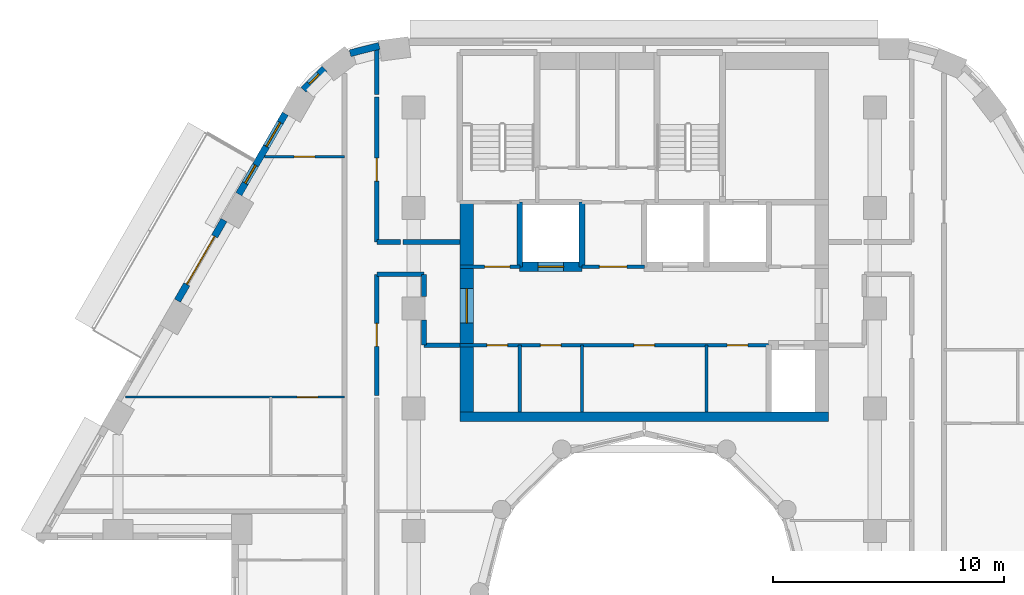
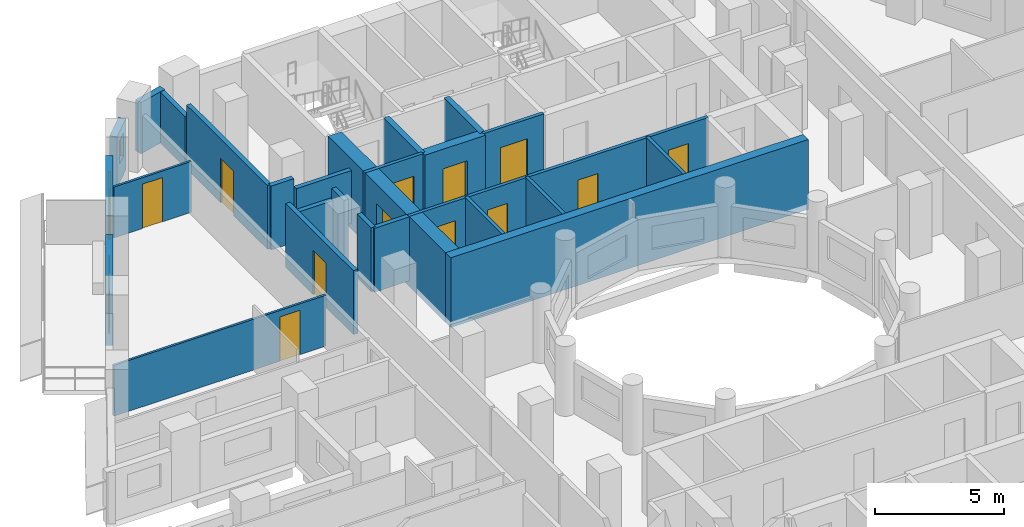
# One storey, part 7 of 13: 26 walls, 13 doors, 3 windows, 16 openings.
"""IFC4 building model written with IfcOpenShell, lengths in metres."""

from ifc_helpers import new_model, si_unit, direction, frame, frame_2d, origin, place, context, subcontext, project, spatial, rectangle, extrude, material, layer, layer_set, type_object, element, fill, save


model = new_model("IFC4")

# Units and contexts
model_context = context("Model", 3, precision=1e-05, world=origin(), true_north=direction((0.0, 1.0)))
body_context = subcontext(model_context, "Body", "Model", "MODEL_VIEW")
ifc_project = project(units=[si_unit("LENGTHUNIT", "METRE"), si_unit("AREAUNIT", "SQUARE_METRE"), si_unit("VOLUMEUNIT", "CUBIC_METRE"), si_unit("PLANEANGLEUNIT", "RADIAN"), si_unit("MASSUNIT", "GRAM", prefix="KILO")], contexts=[model_context])

# Site, building, storey
site_placement = place(None, origin())
site = spatial("IfcSite", under=ifc_project, at=site_placement, CompositionType="ELEMENT")
building_placement = place(site_placement, origin())
building = spatial("IfcBuilding", under=site, at=building_placement, Name="Nakaniwa Court", CompositionType="ELEMENT")
storey_placement = place(building_placement, frame((0.0, 0.0, 147.0)))
storey = spatial("IfcBuildingStorey", under=building, at=storey_placement, Name="L38", CompositionType="ELEMENT", Elevation=147.0)

# Walls
ifc_material_1 = material(Name="Acoustic double stud partition")
ifc_layer_1 = layer(ifc_material_1, 0.199951171875)
ifc_layer_set_1 = layer_set([ifc_layer_1], Name="Acoustic double stud partition")
wall_type_1 = type_object("IfcWallType", Name="Acoustic double stud partition 200", PredefinedType="PARTITIONING", material=ifc_layer_set_1)
wall_1_placement = place(storey_placement, frame((68.39990234375, 93.77490234375, 0.0), z_axis=(0.0, 0.0, 1.0), x_axis=(1.0, 0.0, 0.0)))
element("IfcWall", 1, at=wall_1_placement, inside=storey, type_object=wall_type_1, Name="Partition PW-092", PredefinedType="PARTITIONING", context=body_context, shape_type="SweptSolid", body=[
    extrude(rectangle(XDim=2.050048828125, YDim=0.199951171875, at=frame_2d((1.02490234375, 0.0))), origin(), (0.0, 0.0, 1.0), 2.5048828125),
])
wall_2_placement = place(storey_placement, frame((70.449951171875, 90.699951171875, 0.0), z_axis=(0.0, 0.0, 1.0), x_axis=(1.0, 0.0, 0.0)))
element("IfcWall", 2, at=wall_2_placement, inside=storey, type_object=wall_type_1, Name="Partition PW-094", PredefinedType="PARTITIONING", context=body_context, shape_type="SweptSolid", body=[
    extrude(rectangle(XDim=1.550048828125, YDim=0.199951171875, at=frame_2d((0.77490234375, 0.0))), origin(), (0.0, 0.0, 1.0), 3.02490234375),
])
wall_3_placement = place(storey_placement, frame((68.39990234375, 95.175048828125, 0.0), z_axis=(0.0, 0.0, 1.0), x_axis=(1.0, 0.0, 0.0)))
element("IfcWall", 3, at=wall_3_placement, inside=storey, type_object=wall_type_1, Name="Partition PW-096", PredefinedType="PARTITIONING", context=body_context, shape_type="SweptSolid", body=[
    extrude(rectangle(XDim=1.02294921875, YDim=0.199951171875, at=frame_2d((0.511474609375, 0.0))), origin(), (0.0, 0.0, 1.0), 3.02490234375),
])
wall_4_placement = place(storey_placement, frame((69.537109375, 95.175048828125, 0.0), z_axis=(0.0, 0.0, 1.0), x_axis=(1.0, 0.0, 0.0)))
element("IfcWall", 4, at=wall_4_placement, inside=storey, type_object=wall_type_1, Name="Partition PW-097", PredefinedType="PARTITIONING", context=body_context, shape_type="SweptSolid", body=[
    extrude(rectangle(XDim=2.462890625, YDim=0.199951171875, at=frame_2d((1.2314453125, 0.0))), origin(), (0.0, 0.0, 1.0), 2.5048828125),
])

# Wall, opening, door
wall_5_placement = place(storey_placement, frame((68.39990234375, 93.77490234375, 0.0), z_axis=(0.0, 0.0, 1.0), x_axis=(0.0, -1.0, 0.0)))
wall_5 = element("IfcWall", 5, at=wall_5_placement, inside=storey, type_object=wall_type_1, Name="Partition PW-105", PredefinedType="PARTITIONING", context=body_context, shape_type="SweptSolid", body=[
    extrude(rectangle(XDim=5.247802734375, YDim=0.199951171875, at=frame_2d((2.6240234375, 0.0))), origin(), (0.0, 0.0, 1.0), 3.02490234375),
])
opening_1_placement = place(wall_5_placement, frame((2.123046875, 0.0, 0.0)))
opening_1 = element("IfcOpeningElement", 6, at=opening_1_placement, cuts=wall_5, Name="Opening D-02-08", PredefinedType="OPENING", context=body_context, shape_type="SweptSolid", body=[
    extrude(rectangle(XDim=1.0, YDim=2.10009765625, at=frame_2d((0.5, 1.050048828125))), frame((0.0, 0.10986328125, 0.0), z_axis=(0.0, -1.0, 0.0), x_axis=(1.0, 0.0, 0.0)), (0.0, 0.0, 1.0), 0.219970703125),
])
ifc_material_2 = material(Name="Solid core timber door set, black veneer", Category="wood")
door_type_1 = type_object("IfcDoorType", Name="Internal door 1000", OperationType="NOTDEFINED", PredefinedType="DOOR", material=ifc_material_2)
door_1_placement = place(opening_1_placement, origin())
door_1 = element("IfcDoor", 7, at=door_1_placement, inside=storey, type_object=door_type_1, Name="Door D-02-08 L38-044", OperationType="SINGLE_SWING_LEFT", OverallHeight=2.10009765625, OverallWidth=1.0, PredefinedType="DOOR", context=body_context, shape_type="SweptSolid", body=[
    extrude(rectangle(XDim=1.0, YDim=2.10009765625, at=frame_2d((0.5, 1.050048828125))), frame((0.0, 0.02490234375, 0.0), z_axis=(0.0, -1.0, 0.0), x_axis=(1.0, 0.0, 0.0)), (0.0, 0.0, 1.0), 0.050048828125),
])
fill(opening_1, door_1)

wall_6_placement = place(storey_placement, frame((68.39990234375, 101.462890625, 0.0), z_axis=(0.0, 0.0, 1.0), x_axis=(0.0, -1.0, 0.0)))
wall_6 = element("IfcWall", 8, at=wall_6_placement, inside=storey, type_object=wall_type_1, Name="Partition PW-106", PredefinedType="PARTITIONING", context=body_context, shape_type="SweptSolid", body=[
    extrude(rectangle(XDim=6.287841796875, YDim=0.199951171875, at=frame_2d((3.14404296875, 0.0))), origin(), (0.0, 0.0, 1.0), 3.02490234375),
])
opening_2_placement = place(wall_6_placement, frame((2.64501953125, 0.0, 0.0)))
opening_2 = element("IfcOpeningElement", 9, at=opening_2_placement, cuts=wall_6, Name="Opening D-02-12", PredefinedType="OPENING", context=body_context, shape_type="SweptSolid", body=[
    extrude(rectangle(XDim=1.0, YDim=2.10009765625, at=frame_2d((0.5, 1.050048828125))), frame((0.0, 0.10986328125, 0.0), z_axis=(0.0, -1.0, 0.0), x_axis=(1.0, 0.0, 0.0)), (0.0, 0.0, 1.0), 0.219970703125),
])
door_2_placement = place(opening_2_placement, origin())
door_2 = element("IfcDoor", 10, at=door_2_placement, inside=storey, type_object=door_type_1, Name="Door D-02-12 L38-053", OperationType="SINGLE_SWING_RIGHT", OverallHeight=2.10009765625, OverallWidth=1.0, PredefinedType="DOOR", context=body_context, shape_type="SweptSolid", body=[
    extrude(rectangle(XDim=1.0, YDim=2.10009765625, at=frame_2d((0.5, 1.050048828125))), frame((0.0, 0.02490234375, 0.0), z_axis=(0.0, -1.0, 0.0), x_axis=(1.0, 0.0, 0.0)), (0.0, 0.0, 1.0), 0.050048828125),
])
fill(opening_2, door_2)

# Walls
wall_7_placement = place(storey_placement, frame((68.39990234375, 101.5771484375, 0.0), z_axis=(0.0, 0.0, 1.0), x_axis=(0.0, 1.0, 0.0)))
element("IfcWall", 11, at=wall_7_placement, inside=storey, type_object=wall_type_1, Name="Partition PW-107", PredefinedType="PARTITIONING", context=body_context, shape_type="SweptSolid", body=[
    extrude(rectangle(XDim=2.02197265625, YDim=0.199951171875, at=frame_2d((1.010986328125, 0.0))), origin(), (0.0, 0.0, 1.0), 2.405029296875),
])
wall_8_placement = place(storey_placement, frame((70.449951171875, 90.699951171875, 0.0), z_axis=(0.0, 0.0, 1.0), x_axis=(0.0, 1.0, 0.0)))
element("IfcWall", 12, at=wall_8_placement, inside=storey, type_object=wall_type_1, Name="Partition PW-111", PredefinedType="PARTITIONING", context=body_context, shape_type="SweptSolid", body=[
    extrude(rectangle(XDim=1.082763671875, YDim=0.199951171875, at=frame_2d((0.54150390625, 0.0))), origin(), (0.0, 0.0, 1.0), 3.02490234375),
])
wall_9_placement = place(storey_placement, frame((70.449951171875, 92.817138671875, 0.0), z_axis=(0.0, 0.0, 1.0), x_axis=(0.0, 1.0, 0.0)))
element("IfcWall", 13, at=wall_9_placement, inside=storey, type_object=wall_type_1, Name="Partition PW-112", PredefinedType="PARTITIONING", context=body_context, shape_type="SweptSolid", body=[
    extrude(rectangle(XDim=0.957763671875, YDim=0.199951171875, at=frame_2d((0.47900390625, 0.0))), origin(), (0.0, 0.0, 1.0), 3.02490234375),
])
ifc_material_3 = material(Name="Charcoal ceramic cladding")
ifc_layer_2 = layer(ifc_material_3, 0.02, Name="Ceramic cladding")
ifc_material_4 = material(Name="Ventilated air cavity")
ifc_layer_3 = layer(ifc_material_4, 0.04, ventilated=True, Name="Ventilated cavity")
ifc_material_5 = material(Name="Mineral wool insulation")
ifc_layer_4 = layer(ifc_material_5, 0.1, Name="Insulation")
ifc_material_6 = material(Name="Cement bonded sheathing board")
ifc_layer_5 = layer(ifc_material_6, 0.012, Name="Sheathing")
ifc_material_7 = material(Name="Cold-formed galvanised stud frame with mineral wool infill")
ifc_layer_6 = layer(ifc_material_7, 0.1, Name="Stud frame")
ifc_material_8 = material(Name="Fire-rated gypsum plasterboard lining")
ifc_layer_7 = layer(ifc_material_8, 0.028, Name="Lining")
ifc_layer_set_2 = layer_set([ifc_layer_2, ifc_layer_3, ifc_layer_4, ifc_layer_5, ifc_layer_6, ifc_layer_7], Name="Charcoal ceramic faced external wall system")
wall_type_2 = type_object("IfcWallType", Name="Black ceramic faced external wall 300", PredefinedType="SOLIDWALL", material=ifc_layer_set_2)
wall_10_placement = place(storey_placement, frame((68.506103515625, 103.68310546875, 0.0), z_axis=(0.0, 0.0, 1.0), x_axis=(-0.96924493129, -0.246098076322, 0.0)))
element("IfcWall", 14, at=wall_10_placement, inside=storey, type_object=wall_type_2, Name="L38 external wall 09", PredefinedType="SOLIDWALL", context=body_context, shape_type="SweptSolid", body=[
    extrude(rectangle(XDim=1.305419921875, YDim=0.300048828125, at=frame_2d((0.65283203125, 0.0))), origin(), (0.0, 0.0, 1.0), 2.425048828125),
])

# Wall, opening, window
wall_11_placement = place(storey_placement, frame((66.12890625, 102.68798828125, 0.0), z_axis=(0.0, 0.0, 1.0), x_axis=(-0.70881270082, -0.705396735997, 0.0)))
wall_11 = element("IfcWall", 15, at=wall_11_placement, inside=storey, type_object=wall_type_2, Name="L38 external wall 10", PredefinedType="SOLIDWALL", context=body_context, shape_type="SweptSolid", body=[
    extrude(rectangle(XDim=1.286376953125, YDim=0.300048828125, at=frame_2d((0.64306640625, 0.0))), origin(), (0.0, 0.0, 1.0), 2.425048828125),
])
opening_3_placement = place(wall_11_placement, frame((0.3330078125, 0.0, 0.89990234375)))
opening_3 = element("IfcOpeningElement", 16, at=opening_3_placement, cuts=wall_11, Name="Opening W8.11", PredefinedType="OPENING", context=body_context, shape_type="SweptSolid", body=[
    extrude(rectangle(XDim=0.60009765625, YDim=1.10009765625, at=frame_2d((0.300048828125, 0.550048828125))), frame((0.0, 0.159912109375, 0.0), z_axis=(0.0, -1.0, 0.0), x_axis=(1.0, 0.0, 0.0)), (0.0, 0.0, 1.0), 0.320068359375),
])
ifc_material_9 = material(Name="Black anodised aluminium frame with dark low-E laminated double glazing", Category="aluminium")
window_type_1 = type_object("IfcWindowType", Name="Dark glass window 600x1100 sill 900", PartitioningType="SINGLE_PANEL", PredefinedType="WINDOW", material=ifc_material_9)
window_1_placement = place(opening_3_placement, origin())
window_1 = element("IfcWindow", 17, at=window_1_placement, inside=storey, type_object=window_type_1, Name="L38 habitable room window 10-0", OverallHeight=1.10009765625, OverallWidth=0.60009765625, PartitioningType="SINGLE_PANEL", PredefinedType="WINDOW", context=body_context, shape_type="SweptSolid", body=[
    extrude(rectangle(XDim=0.60009765625, YDim=1.10009765625, at=frame_2d((0.300048828125, 0.550048828125))), frame((0.0, 0.030029296875, 0.0), z_axis=(0.0, -1.0, 0.0), x_axis=(1.0, 0.0, 0.0)), (0.0, 0.0, 1.0), 0.06005859375),
])
fill(opening_3, window_1)

# Wall, openings, windows
wall_12_placement = place(storey_placement, frame((64.434814453125, 100.739990234375, 0.0), z_axis=(0.0, 0.0, 1.0), x_axis=(-0.500031546601, -0.86600718958, 0.0)))
wall_12 = element("IfcWall", 18, at=wall_12_placement, inside=storey, type_object=wall_type_2, Name="L38 external wall 11", PredefinedType="SOLIDWALL", context=body_context, shape_type="SweptSolid", body=[
    extrude(rectangle(XDim=4.033935546875, YDim=0.300048828125, at=frame_2d((2.01708984375, 0.0))), origin(), (0.0, 0.0, 1.0), 2.425048828125),
])
opening_4_placement = place(wall_12_placement, frame((0.439453125, 0.0, 0.89990234375)))
opening_4 = element("IfcOpeningElement", 19, at=opening_4_placement, cuts=wall_12, Name="Opening W6.12", PredefinedType="OPENING", context=body_context, shape_type="SweptSolid", body=[
    extrude(rectangle(XDim=1.199951171875, YDim=1.10009765625, at=frame_2d((0.60009765625, 0.550048828125))), frame((0.0, 0.159912109375, 0.0), z_axis=(0.0, -1.0, 0.0), x_axis=(1.0, 0.0, 0.0)), (0.0, 0.0, 1.0), 0.320068359375),
])
opening_5_placement = place(wall_12_placement, frame((2.58251953125, 0.0, 0.89990234375)))
opening_5 = element("IfcOpeningElement", 20, at=opening_5_placement, cuts=wall_12, Name="Opening W9.13", PredefinedType="OPENING", context=body_context, shape_type="SweptSolid", body=[
    extrude(rectangle(XDim=0.89990234375, YDim=1.10009765625, at=frame_2d((0.449951171875, 0.550048828125))), frame((0.0, 0.159912109375, 0.0), z_axis=(0.0, -1.0, 0.0), x_axis=(1.0, 0.0, 0.0)), (0.0, 0.0, 1.0), 0.320068359375),
])
window_type_2 = type_object("IfcWindowType", Name="Dark glass window 1200x1100 sill 900", PartitioningType="SINGLE_PANEL", PredefinedType="WINDOW", material=ifc_material_9)
window_2_placement = place(opening_4_placement, origin())
window_2 = element("IfcWindow", 21, at=window_2_placement, inside=storey, type_object=window_type_2, Name="L38 habitable room window 11-0", OverallHeight=1.10009765625, OverallWidth=1.199951171875, PartitioningType="SINGLE_PANEL", PredefinedType="WINDOW", context=body_context, shape_type="SweptSolid", body=[
    extrude(rectangle(XDim=1.199951171875, YDim=1.10009765625, at=frame_2d((0.60009765625, 0.550048828125))), frame((0.0, 0.030029296875, 0.0), z_axis=(0.0, -1.0, 0.0), x_axis=(1.0, 0.0, 0.0)), (0.0, 0.0, 1.0), 0.06005859375),
])
fill(opening_4, window_2)
window_type_3 = type_object("IfcWindowType", Name="Dark glass window 900x1100 sill 900", PartitioningType="SINGLE_PANEL", PredefinedType="WINDOW", material=ifc_material_9)
window_3_placement = place(opening_5_placement, origin())
window_3 = element("IfcWindow", 22, at=window_3_placement, inside=storey, type_object=window_type_3, Name="L38 living window 11-1", OverallHeight=1.10009765625, OverallWidth=0.89990234375, PartitioningType="SINGLE_PANEL", PredefinedType="WINDOW", context=body_context, shape_type="SweptSolid", body=[
    extrude(rectangle(XDim=0.89990234375, YDim=1.10009765625, at=frame_2d((0.449951171875, 0.550048828125))), frame((0.0, 0.030029296875, 0.0), z_axis=(0.0, -1.0, 0.0), x_axis=(1.0, 0.0, 0.0)), (0.0, 0.0, 1.0), 0.06005859375),
])
fill(opening_5, window_3)

# Wall, opening, door
wall_13_placement = place(storey_placement, frame((61.771728515625, 96.127685546875, 0.0), z_axis=(0.0, 0.0, 1.0), x_axis=(-0.500031546601, -0.86600718958, 0.0)))
wall_13 = element("IfcWall", 23, at=wall_13_placement, inside=storey, type_object=wall_type_2, Name="L38 external wall 12", PredefinedType="SOLIDWALL", context=body_context, shape_type="SweptSolid", body=[
    extrude(rectangle(XDim=4.033935546875, YDim=0.300048828125, at=frame_2d((2.01708984375, 0.0))), origin(), (0.0, 0.0, 1.0), 2.425048828125),
])
opening_6_placement = place(wall_13_placement, frame((0.81689453125, 0.0, 0.0)))
opening_6 = element("IfcOpeningElement", 24, at=opening_6_placement, cuts=wall_13, Name="Opening XD13.01", PredefinedType="OPENING", context=body_context, shape_type="SweptSolid", body=[
    extrude(rectangle(XDim=2.39990234375, YDim=2.0, at=frame_2d((1.199951171875, 1.0))), frame((0.0, 0.159912109375, 0.0), z_axis=(0.0, -1.0, 0.0), x_axis=(1.0, 0.0, 0.0)), (0.0, 0.0, 1.0), 0.320068359375),
])
ifc_material_10 = material(Name="Black powder-coated aluminium frame with dark laminated glass", Category="aluminium")
door_type_2 = type_object("IfcDoorType", Name="Balcony sliding door 2400x2000", OperationType="DOUBLE_DOOR_SLIDING", PredefinedType="DOOR", material=ifc_material_10)
door_3_placement = place(opening_6_placement, origin())
door_3 = element("IfcDoor", 25, at=door_3_placement, inside=storey, type_object=door_type_2, Name="L38 balcony sliding door 01", OperationType="DOUBLE_DOOR_SLIDING", OverallHeight=2.0, OverallWidth=2.39990234375, PredefinedType="DOOR", context=body_context, shape_type="SweptSolid", body=[
    extrude(rectangle(XDim=2.39990234375, YDim=2.0, at=frame_2d((1.199951171875, 1.0))), frame((0.0, 0.02490234375, 0.0), z_axis=(0.0, -1.0, 0.0), x_axis=(1.0, 0.0, 0.0)), (0.0, 0.0, 1.0), 0.050048828125),
])
fill(opening_6, door_3)

# Wall
ifc_material_11 = material(Name="Blockwork partition", Category="masonry")
ifc_layer_8 = layer(ifc_material_11, 0.14990234375)
ifc_layer_set_3 = layer_set([ifc_layer_8], Name="Blockwork partition")
wall_type_3 = type_object("IfcWallType", Name="Blockwork partition 150", PredefinedType="PARTITIONING", material=ifc_layer_set_3)
wall_14_placement = place(storey_placement, frame((74.60009765625, 87.800048828125, 0.0), z_axis=(0.0, 0.0, 1.0), x_axis=(0.0, 1.0, 0.0)))
element("IfcWall", 26, at=wall_14_placement, inside=storey, type_object=wall_type_3, Name="Partition PW-001", PredefinedType="PARTITIONING", context=body_context, shape_type="SweptSolid", body=[
    extrude(rectangle(XDim=2.89990234375, YDim=0.14990234375, at=frame_2d((1.449951171875, 0.0))), origin(), (0.0, 0.0, 1.0), 3.02490234375),
])

# Wall, openings, doors
wall_15_placement = place(storey_placement, frame((85.39990234375, 90.699951171875, 0.0), z_axis=(0.0, 0.0, 1.0), x_axis=(-1.0, 0.0, 0.0)))
wall_15 = element("IfcWall", 27, at=wall_15_placement, inside=storey, type_object=wall_type_3, Name="Partition PW-002", PredefinedType="PARTITIONING", context=body_context, shape_type="SweptSolid", body=[
    extrude(rectangle(XDim=13.39990234375, YDim=0.14990234375, at=frame_2d((6.699951171875, 0.0))), origin(), (0.0, 0.0, 1.0), 3.02490234375),
])
opening_7_placement = place(wall_15_placement, frame((11.324951171875, 0.0, 0.0)))
opening_7 = element("IfcOpeningElement", 28, at=opening_7_placement, cuts=wall_15, Name="Opening D-05-01", PredefinedType="OPENING", context=body_context, shape_type="SweptSolid", body=[
    extrude(rectangle(XDim=0.89990234375, YDim=2.10009765625, at=frame_2d((0.449951171875, 1.050048828125))), frame((0.0, 0.0849609375, 0.0), z_axis=(0.0, -1.0, 0.0), x_axis=(1.0, 0.0, 0.0)), (0.0, 0.0, 1.0), 0.169921875),
])
opening_8_placement = place(wall_15_placement, frame((9.0, 0.0, 0.0)))
opening_8 = element("IfcOpeningElement", 29, at=opening_8_placement, cuts=wall_15, Name="Opening D-05-02", PredefinedType="OPENING", context=body_context, shape_type="SweptSolid", body=[
    extrude(rectangle(XDim=0.89990234375, YDim=2.10009765625, at=frame_2d((0.449951171875, 1.050048828125))), frame((0.0, 0.0849609375, 0.0), z_axis=(0.0, -1.0, 0.0), x_axis=(1.0, 0.0, 0.0)), (0.0, 0.0, 1.0), 0.169921875),
])
opening_9_placement = place(wall_15_placement, frame((4.949951171875, 0.0, 0.0)))
opening_9 = element("IfcOpeningElement", 30, at=opening_9_placement, cuts=wall_15, Name="Opening D-05-03", PredefinedType="OPENING", context=body_context, shape_type="SweptSolid", body=[
    extrude(rectangle(XDim=0.89990234375, YDim=2.10009765625, at=frame_2d((0.449951171875, 1.050048828125))), frame((0.0, 0.0849609375, 0.0), z_axis=(0.0, -1.0, 0.0), x_axis=(1.0, 0.0, 0.0)), (0.0, 0.0, 1.0), 0.169921875),
])
opening_10_placement = place(wall_15_placement, frame((0.89990234375, 0.0, 0.0)))
opening_10 = element("IfcOpeningElement", 31, at=opening_10_placement, cuts=wall_15, Name="Opening D-05-04", PredefinedType="OPENING", context=body_context, shape_type="SweptSolid", body=[
    extrude(rectangle(XDim=0.89990234375, YDim=2.10009765625, at=frame_2d((0.449951171875, 1.050048828125))), frame((0.0, 0.0849609375, 0.0), z_axis=(0.0, -1.0, 0.0), x_axis=(1.0, 0.0, 0.0)), (0.0, 0.0, 1.0), 0.169921875),
])
ifc_material_12 = material(Name="Fire rated steel door set", Category="steel")
door_type_3 = type_object("IfcDoorType", Name="Service room door 900", OperationType="NOTDEFINED", PredefinedType="DOOR", material=ifc_material_12)
door_4_placement = place(opening_7_placement, origin())
door_4 = element("IfcDoor", 32, at=door_4_placement, inside=storey, type_object=door_type_3, Name="Door D-05-01 L38-001", OperationType="SINGLE_SWING_RIGHT", OverallHeight=2.10009765625, OverallWidth=0.89990234375, PredefinedType="DOOR", context=body_context, shape_type="SweptSolid", body=[
    extrude(rectangle(XDim=0.89990234375, YDim=2.10009765625, at=frame_2d((0.449951171875, 1.050048828125))), frame((0.0, 0.02490234375, 0.0), z_axis=(0.0, -1.0, 0.0), x_axis=(1.0, 0.0, 0.0)), (0.0, 0.0, 1.0), 0.050048828125),
])
fill(opening_7, door_4)
door_5_placement = place(opening_8_placement, origin())
door_5 = element("IfcDoor", 33, at=door_5_placement, inside=storey, type_object=door_type_3, Name="Door D-05-02 L38-002", OperationType="SINGLE_SWING_LEFT", OverallHeight=2.10009765625, OverallWidth=0.89990234375, PredefinedType="DOOR", context=body_context, shape_type="SweptSolid", body=[
    extrude(rectangle(XDim=0.89990234375, YDim=2.10009765625, at=frame_2d((0.449951171875, 1.050048828125))), frame((0.0, 0.02490234375, 0.0), z_axis=(0.0, -1.0, 0.0), x_axis=(1.0, 0.0, 0.0)), (0.0, 0.0, 1.0), 0.050048828125),
])
fill(opening_8, door_5)
door_6_placement = place(opening_9_placement, origin())
door_6 = element("IfcDoor", 34, at=door_6_placement, inside=storey, type_object=door_type_3, Name="Door D-05-03 L38-003", OperationType="SINGLE_SWING_RIGHT", OverallHeight=2.10009765625, OverallWidth=0.89990234375, PredefinedType="DOOR", context=body_context, shape_type="SweptSolid", body=[
    extrude(rectangle(XDim=0.89990234375, YDim=2.10009765625, at=frame_2d((0.449951171875, 1.050048828125))), frame((0.0, 0.02490234375, 0.0), z_axis=(0.0, -1.0, 0.0), x_axis=(1.0, 0.0, 0.0)), (0.0, 0.0, 1.0), 0.050048828125),
])
fill(opening_9, door_6)
door_7_placement = place(opening_10_placement, origin())
door_7 = element("IfcDoor", 35, at=door_7_placement, inside=storey, type_object=door_type_3, Name="Door D-05-04 L38-004", OperationType="SINGLE_SWING_LEFT", OverallHeight=2.10009765625, OverallWidth=0.89990234375, PredefinedType="DOOR", context=body_context, shape_type="SweptSolid", body=[
    extrude(rectangle(XDim=0.89990234375, YDim=2.10009765625, at=frame_2d((0.449951171875, 1.050048828125))), frame((0.0, 0.02490234375, 0.0), z_axis=(0.0, -1.0, 0.0), x_axis=(1.0, 0.0, 0.0)), (0.0, 0.0, 1.0), 0.050048828125),
])
fill(opening_10, door_7)

# Walls
for number, where, z_axis, x_axis, name in (
    (36, (77.300048828125, 87.800048828125, 0.0), (0.0, 0.0, 1.0), (0.0, 1.0, 0.0), "Partition PW-008"),
    (37, (82.699951171875, 87.800048828125, 0.0), (0.0, 0.0, 1.0), (0.0, 1.0, 0.0), "Partition PW-009"),
):
    element("IfcWall", number, at=place(storey_placement, frame(where, z_axis=z_axis, x_axis=x_axis)), inside=storey, type_object=wall_type_3, Name=name, PredefinedType="PARTITIONING", context=body_context, shape_type="SweptSolid", body=[
        extrude(rectangle(XDim=2.89990234375, YDim=0.14990234375, at=frame_2d((1.449951171875, 0.0))), origin(), (0.0, 0.0, 1.0), 3.02490234375),
    ])

# Wall, opening, door
wall_16_placement = place(storey_placement, frame((72.0, 94.10009765625, 0.0), z_axis=(0.0, 0.0, 1.0), x_axis=(1.0, 0.0, 0.0)))
wall_16 = element("IfcWall", 38, at=wall_16_placement, inside=storey, type_object=wall_type_3, Name="Partition PW-010", PredefinedType="PARTITIONING", context=body_context, shape_type="SweptSolid", body=[
    extrude(rectangle(XDim=2.60302734375, YDim=0.14990234375, at=frame_2d((1.301513671875, 0.0))), origin(), (0.0, 0.0, 1.0), 3.02490234375),
])
opening_11_placement = place(wall_16_placement, frame((1.074951171875, 0.0, 0.0)))
opening_11 = element("IfcOpeningElement", 39, at=opening_11_placement, cuts=wall_16, Name="Opening D-08-01", PredefinedType="OPENING", context=body_context, shape_type="SweptSolid", body=[
    extrude(rectangle(XDim=1.10009765625, YDim=2.10009765625, at=frame_2d((0.550048828125, 1.050048828125))), frame((0.0, 0.0849609375, 0.0), z_axis=(0.0, -1.0, 0.0), x_axis=(1.0, 0.0, 0.0)), (0.0, 0.0, 1.0), 0.169921875),
])
door_type_4 = type_object("IfcDoorType", Name="Stair lobby door 1100", OperationType="NOTDEFINED", PredefinedType="DOOR", material=ifc_material_12)
door_8_placement = place(opening_11_placement, origin())
door_8 = element("IfcDoor", 40, at=door_8_placement, inside=storey, type_object=door_type_4, Name="Door D-08-01 L38-005", OperationType="SINGLE_SWING_RIGHT", OverallHeight=2.10009765625, OverallWidth=1.10009765625, PredefinedType="DOOR", context=body_context, shape_type="SweptSolid", body=[
    extrude(rectangle(XDim=1.10009765625, YDim=2.10009765625, at=frame_2d((0.550048828125, 1.050048828125))), frame((0.0, 0.02490234375, 0.0), z_axis=(0.0, -1.0, 0.0), x_axis=(1.0, 0.0, 0.0)), (0.0, 0.0, 1.0), 0.050048828125),
])
fill(opening_11, door_8)

wall_17_placement = place(storey_placement, frame((77.297119140625, 94.10009765625, 0.0), z_axis=(0.0, 0.0, 1.0), x_axis=(1.0, 0.0, 0.0)))
wall_17 = element("IfcWall", 41, at=wall_17_placement, inside=storey, type_object=wall_type_3, Name="Partition PW-011", PredefinedType="PARTITIONING", context=body_context, shape_type="SweptSolid", body=[
    extrude(rectangle(XDim=2.705810546875, YDim=0.14990234375, at=frame_2d((1.35302734375, 0.0))), origin(), (0.0, 0.0, 1.0), 3.02490234375),
])
opening_12_placement = place(wall_17_placement, frame((0.7529296875, 0.0, 0.0)))
opening_12 = element("IfcOpeningElement", 42, at=opening_12_placement, cuts=wall_17, Name="Opening D-06-01", PredefinedType="OPENING", context=body_context, shape_type="SweptSolid", body=[
    extrude(rectangle(XDim=1.199951171875, YDim=2.10009765625, at=frame_2d((0.60009765625, 1.050048828125))), frame((0.0, 0.0849609375, 0.0), z_axis=(0.0, -1.0, 0.0), x_axis=(1.0, 0.0, 0.0)), (0.0, 0.0, 1.0), 0.169921875),
])
ifc_material_13 = material(Name="Fire rated steel double door set", Category="steel")
door_type_5 = type_object("IfcDoorType", Name="Service passage double door 1200", OperationType="NOTDEFINED", PredefinedType="DOOR", material=ifc_material_13)
door_9_placement = place(opening_12_placement, origin())
door_9 = element("IfcDoor", 43, at=door_9_placement, inside=storey, type_object=door_type_5, Name="Door D-06-01 L38-006", OperationType="DOUBLE_DOOR_SINGLE_SWING", OverallHeight=2.10009765625, OverallWidth=1.199951171875, PredefinedType="DOOR", context=body_context, shape_type="SweptSolid", body=[
    extrude(rectangle(XDim=1.199951171875, YDim=2.10009765625, at=frame_2d((0.60009765625, 1.050048828125))), frame((0.0, 0.02490234375, 0.0), z_axis=(0.0, -1.0, 0.0), x_axis=(1.0, 0.0, 0.0)), (0.0, 0.0, 1.0), 0.050048828125),
])
fill(opening_12, door_9)

ifc_material_14 = material(Name="Concrete C80/100", Category="concrete")
ifc_layer_9 = layer(ifc_material_14, 0.60009765625)
ifc_layer_set_4 = layer_set([ifc_layer_9], Name="Concrete C80/100")
wall_type_4 = type_object("IfcWallType", Name="Concrete core side wall 600 C80", PredefinedType="SHEAR", material=ifc_layer_set_4)
wall_18_placement = place(storey_placement, frame((72.300048828125, 87.800048828125, -0.27490234375), z_axis=(0.0, 0.0, 1.0), x_axis=(0.0, 1.0, 0.0)))
wall_18 = element("IfcWall", 44, at=wall_18_placement, inside=storey, type_object=wall_type_4, Name="Core wall SW-03", PredefinedType="SHEAR", context=body_context, shape_type="SweptSolid", body=[
    extrude(rectangle(XDim=9.099853515625, YDim=0.60009765625, at=frame_2d((4.5498046875, 0.0))), origin(), (0.0, 0.0, 1.0), 3.2998046875),
])
opening_13_placement = place(wall_18_placement, frame((3.85205078125, 0.0, 0.27490234375)))
opening_13 = element("IfcOpeningElement", 45, at=opening_13_placement, cuts=wall_18, Name="Opening D-07-02", PredefinedType="OPENING", context=body_context, shape_type="SweptSolid", body=[
    extrude(rectangle(XDim=1.5, YDim=2.10009765625, at=frame_2d((0.75, 1.050048828125))), frame((0.0, 0.31005859375, 0.0), z_axis=(0.0, -1.0, 0.0), x_axis=(1.0, 0.0, 0.0)), (0.0, 0.0, 1.0), 0.6201171875),
])
ifc_material_15 = material(Name="Glazed fire rated steel double door set", Category="steel")
door_type_6 = type_object("IfcDoorType", Name="Lobby double door 1500", OperationType="NOTDEFINED", PredefinedType="DOOR", material=ifc_material_15)
door_10_placement = place(opening_13_placement, origin())
door_10 = element("IfcDoor", 46, at=door_10_placement, inside=storey, type_object=door_type_6, Name="Door D-07-02 L38-055", OperationType="DOUBLE_DOOR_SINGLE_SWING", OverallHeight=2.10009765625, OverallWidth=1.5, PredefinedType="DOOR", context=body_context, shape_type="SweptSolid", body=[
    extrude(rectangle(XDim=1.5, YDim=2.10009765625, at=frame_2d((0.75, 1.050048828125))), frame((0.0, 0.02490234375, 0.0), z_axis=(0.0, -1.0, 0.0), x_axis=(1.0, 0.0, 0.0)), (0.0, 0.0, 1.0), 0.050048828125),
])
fill(opening_13, door_10)

ifc_layer_10 = layer(ifc_material_14, 0.39990234375)
ifc_layer_set_5 = layer_set([ifc_layer_10], Name="Concrete C80/100")
wall_type_5 = type_object("IfcWallType", Name="Concrete core spine wall 400 C80", PredefinedType="SHEAR", material=ifc_layer_set_5)
wall_19_placement = place(storey_placement, frame((74.596923828125, 94.10009765625, -0.27490234375), z_axis=(0.0, 0.0, 1.0), x_axis=(1.0, 0.0, 0.0)))
wall_19 = element("IfcWall", 47, at=wall_19_placement, inside=storey, type_object=wall_type_5, Name="Core wall SW-13", PredefinedType="SHEAR", context=body_context, shape_type="SweptSolid", body=[
    extrude(rectangle(XDim=2.7060546875, YDim=0.39990234375, at=frame_2d((1.35302734375, 0.0))), origin(), (0.0, 0.0, 1.0), 3.2998046875),
])
opening_14_placement = place(wall_19_placement, frame((0.802978515625, 0.0, 0.27490234375)))
opening_14 = element("IfcOpeningElement", 48, at=opening_14_placement, cuts=wall_19, Name="Opening LD02", PredefinedType="OPENING", context=body_context, shape_type="SweptSolid", body=[
    extrude(rectangle(XDim=1.10009765625, YDim=2.10009765625, at=frame_2d((0.550048828125, 1.050048828125))), frame((0.0, 0.2099609375, 0.0), z_axis=(0.0, -1.0, 0.0), x_axis=(1.0, 0.0, 0.0)), (0.0, 0.0, 1.0), 0.419921875),
])
ifc_material_16 = material(Name="Stainless steel sliding lift landing door", Category="steel")
door_type_7 = type_object("IfcDoorType", Name="Lift landing door 1100", OperationType="NOTDEFINED", PredefinedType="DOOR", material=ifc_material_16)
door_11_placement = place(opening_14_placement, origin())
door_11 = element("IfcDoor", 49, at=door_11_placement, inside=storey, type_object=door_type_7, Name="Lift landing door LD02 L38-002", OperationType="SLIDING_TO_LEFT", OverallHeight=2.10009765625, OverallWidth=1.10009765625, PredefinedType="DOOR", context=body_context, shape_type="SweptSolid", body=[
    extrude(rectangle(XDim=1.10009765625, YDim=2.10009765625, at=frame_2d((0.550048828125, 1.050048828125))), frame((0.0, 0.02490234375, 0.0), z_axis=(0.0, -1.0, 0.0), x_axis=(1.0, 0.0, 0.0)), (0.0, 0.0, 1.0), 0.050048828125),
])
fill(opening_14, door_11)

# Walls
ifc_layer_11 = layer(ifc_material_14, 0.39990234375)
ifc_layer_set_6 = layer_set([ifc_layer_11], Name="Concrete C80/100")
wall_type_6 = type_object("IfcWallType", Name="Concrete core well wall 400 C80", PredefinedType="SHEAR", material=ifc_layer_set_6)
wall_20_placement = place(storey_placement, frame((72.00390625, 87.60009765625, -0.27490234375), z_axis=(0.0, 0.0, 1.0), x_axis=(1.0, 0.0, 0.0)))
element("IfcWall", 50, at=wall_20_placement, inside=storey, type_object=wall_type_6, Name="Core wall SW-138", PredefinedType="SHEAR", context=body_context, shape_type="SweptSolid", body=[
    extrude(rectangle(XDim=15.9921875, YDim=0.39990234375, at=frame_2d((7.99609375, 0.0))), origin(), (0.0, 0.0, 1.0), 3.2998046875),
])
ifc_layer_12 = layer(ifc_material_14, 0.25)
ifc_layer_set_7 = layer_set([ifc_layer_12], Name="Concrete C80/100")
wall_type_7 = type_object("IfcWallType", Name="Concrete shaft wall 250 C80", PredefinedType="SHEAR", material=ifc_layer_set_7)
for number, where, z_axis, x_axis, name in (
    (51, (74.60009765625, 94.10009765625, -0.27490234375), (0.0, 0.0, 1.0), (0.0, 1.0, 0.0), "Core wall SW-15"),
    (52, (77.300048828125, 94.10009765625, -0.27490234375), (0.0, 0.0, 1.0), (0.0, 1.0, 0.0), "Core wall SW-17"),
):
    element("IfcWall", number, at=place(storey_placement, frame(where, z_axis=z_axis, x_axis=x_axis)), inside=storey, type_object=wall_type_7, Name=name, PredefinedType="SHEAR", context=body_context, shape_type="SweptSolid", body=[
        extrude(rectangle(XDim=2.7998046875, YDim=0.25, at=frame_2d((1.39990234375, 0.0))), origin(), (0.0, 0.0, 1.0), 3.2998046875),
    ])

# Wall, opening, door
ifc_material_17 = material(Name="Single stud plasterboard partition")
ifc_layer_13 = layer(ifc_material_17, 0.10009765625)
ifc_layer_set_8 = layer_set([ifc_layer_13], Name="Single stud plasterboard partition")
wall_type_8 = type_object("IfcWallType", Name="Single stud plasterboard partition 100", PredefinedType="PARTITIONING", material=ifc_layer_set_8)
wall_21_placement = place(storey_placement, frame((57.51220703125, 88.449951171875, 0.0), z_axis=(0.0, 0.0, 1.0), x_axis=(1.0, 0.0, 0.0)))
wall_21 = element("IfcWall", 53, at=wall_21_placement, inside=storey, type_object=wall_type_8, Name="Partition PW-134", PredefinedType="PARTITIONING", context=body_context, shape_type="SweptSolid", body=[
    extrude(rectangle(XDim=9.48681640625, YDim=0.10009765625, at=frame_2d((4.743408203125, 0.0))), origin(), (0.0, 0.0, 1.0), 2.405029296875),
])
opening_15_placement = place(wall_21_placement, frame((7.43505859375, 0.0, 0.0)))
opening_15 = element("IfcOpeningElement", 54, at=opening_15_placement, cuts=wall_21, Name="Opening D-33-08", PredefinedType="OPENING", context=body_context, shape_type="SweptSolid", body=[
    extrude(rectangle(XDim=0.89990234375, YDim=2.10009765625, at=frame_2d((0.449951171875, 1.050048828125))), frame((0.0, 0.06005859375, 0.0), z_axis=(0.0, -1.0, 0.0), x_axis=(1.0, 0.0, 0.0)), (0.0, 0.0, 1.0), 0.1201171875),
])
door_type_8 = type_object("IfcDoorType", Name="Internal door 900", OperationType="NOTDEFINED", PredefinedType="DOOR", material=ifc_material_2)
door_12_placement = place(opening_15_placement, origin())
door_12 = element("IfcDoor", 55, at=door_12_placement, inside=storey, type_object=door_type_8, Name="Door D-33-08 L38-048", OperationType="SINGLE_SWING_LEFT", OverallHeight=2.10009765625, OverallWidth=0.89990234375, PredefinedType="DOOR", context=body_context, shape_type="SweptSolid", body=[
    extrude(rectangle(XDim=0.89990234375, YDim=2.10009765625, at=frame_2d((0.449951171875, 1.050048828125))), frame((0.0, 0.02490234375, 0.0), z_axis=(0.0, -1.0, 0.0), x_axis=(1.0, 0.0, 0.0)), (0.0, 0.0, 1.0), 0.050048828125),
])
fill(opening_15, door_12)

wall_22_placement = place(storey_placement, frame((63.531494140625, 98.8759765625, 0.0), z_axis=(0.0, 0.0, 1.0), x_axis=(1.0, 0.0, 0.0)))
wall_22 = element("IfcWall", 56, at=wall_22_placement, inside=storey, type_object=wall_type_8, Name="Partition PW-135", PredefinedType="PARTITIONING", context=body_context, shape_type="SweptSolid", body=[
    extrude(rectangle(XDim=3.467529296875, YDim=0.10009765625, at=frame_2d((1.73388671875, 0.0))), origin(), (0.0, 0.0, 1.0), 2.405029296875),
])
opening_16_placement = place(wall_22_placement, frame((1.283935546875, 0.0, 0.0)))
opening_16 = element("IfcOpeningElement", 57, at=opening_16_placement, cuts=wall_22, Name="Opening D-33-09", PredefinedType="OPENING", context=body_context, shape_type="SweptSolid", body=[
    extrude(rectangle(XDim=0.89990234375, YDim=2.10009765625, at=frame_2d((0.449951171875, 1.050048828125))), frame((0.0, 0.06005859375, 0.0), z_axis=(0.0, -1.0, 0.0), x_axis=(1.0, 0.0, 0.0)), (0.0, 0.0, 1.0), 0.1201171875),
])
door_13_placement = place(opening_16_placement, origin())
door_13 = element("IfcDoor", 58, at=door_13_placement, inside=storey, type_object=door_type_8, Name="Door D-33-09 L38-049", OperationType="SINGLE_SWING_RIGHT", OverallHeight=2.10009765625, OverallWidth=0.89990234375, PredefinedType="DOOR", context=body_context, shape_type="SweptSolid", body=[
    extrude(rectangle(XDim=0.89990234375, YDim=2.10009765625, at=frame_2d((0.449951171875, 1.050048828125))), frame((0.0, 0.02490234375, 0.0), z_axis=(0.0, -1.0, 0.0), x_axis=(1.0, 0.0, 0.0)), (0.0, 0.0, 1.0), 0.050048828125),
])
fill(opening_16, door_13)

save(model, "model.ifc")
